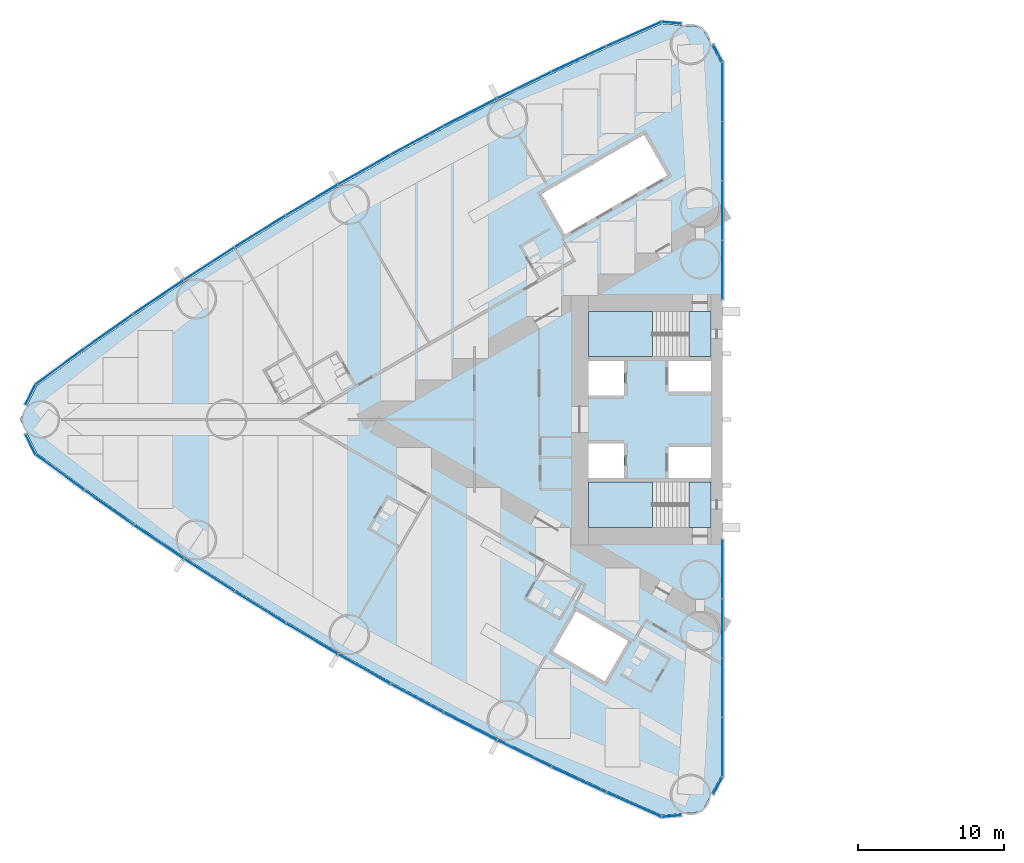
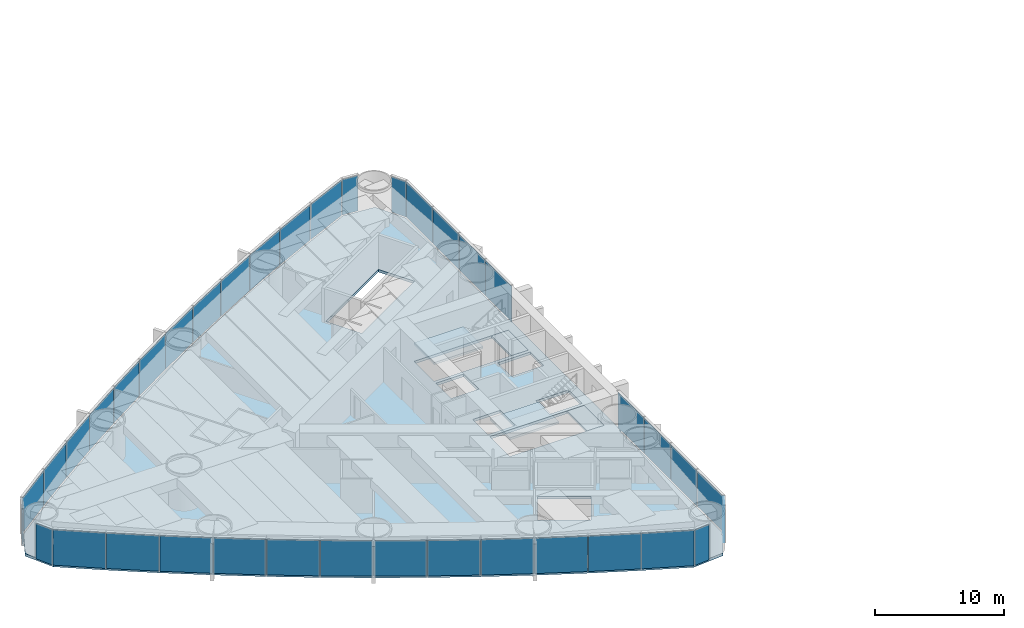
# One storey, part 9 of 19: 38 plates, 5 slabs, 6 elements without a shape of their own.
"""IFC4 building model written with IfcOpenShell, lengths in metres."""

from ifc_helpers import new_model, si_unit, direction, frame, origin, origin_2d, place, context, subcontext, project, spatial, polyline, rectangle, outline, extrude, material, layer, layer_set, type_object, element, aggregate, save


model = new_model("IFC4")

# Units and contexts
model_context = context("Model", 3, precision=1e-05, world=origin(), true_north=direction((0.0, 1.0)))
body_context = subcontext(model_context, "Body", "Model", "MODEL_VIEW")
ifc_project = project(units=[si_unit("LENGTHUNIT", "METRE"), si_unit("AREAUNIT", "SQUARE_METRE"), si_unit("VOLUMEUNIT", "CUBIC_METRE"), si_unit("PLANEANGLEUNIT", "RADIAN"), si_unit("MASSUNIT", "GRAM", prefix="KILO")], contexts=[model_context])

# Site, building, storey
site_placement = place(None, origin())
site = spatial("IfcSite", under=ifc_project, at=site_placement, CompositionType="ELEMENT")
building_placement = place(site_placement, origin())
building = spatial("IfcBuilding", under=site, at=building_placement, Name="Lancet Gate Hotel", CompositionType="ELEMENT")
storey_placement = place(building_placement, frame((0.0, 0.0, 28.5)))
storey = spatial("IfcBuildingStorey", under=building, at=storey_placement, Name="L06", CompositionType="ELEMENT", Elevation=28.5)

# Slab
ifc_material_1 = material(Name="Concrete C50/60", Category="concrete")
ifc_layer_1 = layer(ifc_material_1, 0.25)
ifc_layer_set_1 = layer_set([ifc_layer_1], Name="Floor slab 250")
slab_type_1 = type_object("IfcSlabType", Name="Floor slab 250", PredefinedType="FLOOR", material=ifc_layer_set_1)
slab_1_placement = place(storey_placement, frame((0.0, 0.0, -0.25)))
element("IfcSlab", 1, at=slab_1_placement, inside=storey, type_object=slab_type_1, Name="T1 L06 floor slab", PredefinedType="FLOOR", context=body_context, shape_type="SweptSolid", body=[
    extrude(outline(polyline([(-27.5, 8.60009765625), (-27.6201171875, 8.60009765625), (-27.6201171875, 24.4609375), (-28.926513671875, 26.8837890625), (-31.668212890625, 27.12353515625), (-35.424072265625, 25.458740234375), (-39.173583984375, 23.70849609375), (-42.887939453125, 21.884765625), (-46.56591796875, 19.98876953125), (-50.2060546875, 18.02099609375), (-53.806884765625, 15.982421875), (-57.366943359375, 13.87353515625), (-60.88525390625, 11.695068359375), (-64.360107421875, 9.448486328125), (-67.7900390625, 7.134033203125), (-71.17431640625, 4.752685546875), (-74.488525390625, 2.322021484375), (-75.65087890625, 0.0), (-74.488525390625, -2.322021484375), (-71.17431640625, -4.752685546875), (-67.7900390625, -7.134033203125), (-64.360107421875, -9.448486328125), (-60.88525390625, -11.695068359375), (-57.366943359375, -13.87353515625), (-53.806884765625, -15.982421875), (-50.2060546875, -18.02099609375), (-46.56591796875, -19.98876953125), (-42.887939453125, -21.884765625), (-39.173583984375, -23.70849609375), (-35.424072265625, -25.458740234375), (-31.668212890625, -27.12353515625), (-28.926513671875, -26.8837890625), (-27.6201171875, -24.4609375), (-27.6201171875, -8.60009765625), (-27.5, -8.60009765625), (-27.5, -8.199951171875), (-27.5, 8.199951171875), (-27.5, 8.60009765625)]), holes=[polyline([(-36.699951171875, 7.39990234375), (-36.699951171875, 4.300048828125), (-28.300048828125, 4.300048828125), (-28.300048828125, 7.39990234375), (-36.699951171875, 7.39990234375)]), polyline([(-28.300048828125, 4.0), (-31.199951171875, 4.0), (-31.199951171875, 1.89990234375), (-28.300048828125, 1.89990234375), (-28.300048828125, 4.0)]), polyline([(-34.25, 4.0), (-36.699951171875, 4.0), (-36.699951171875, 1.64990234375), (-34.25, 1.64990234375), (-34.25, 4.0)]), polyline([(-36.699951171875, -1.64990234375), (-36.699951171875, -4.0), (-34.25, -4.0), (-34.25, -1.64990234375), (-36.699951171875, -1.64990234375)]), polyline([(-28.300048828125, -1.89990234375), (-31.199951171875, -1.89990234375), (-31.199951171875, -4.0), (-28.300048828125, -4.0), (-28.300048828125, -1.89990234375)]), polyline([(-28.300048828125, -4.300048828125), (-36.699951171875, -4.300048828125), (-36.699951171875, -7.39990234375), (-28.300048828125, -7.39990234375), (-28.300048828125, -4.300048828125)]), polyline([(-31.2900390625, 16.73095703125), (-32.889892578125, 19.501953125), (-39.904052734375, 15.451904296875), (-38.303955078125, 12.680908203125), (-31.2900390625, 16.73095703125)]), polyline([(-33.97412109375, -15.180908203125), (-37.52490234375, -13.131103515625), (-39.125, -15.902099609375), (-35.573974609375, -17.951904296875), (-33.97412109375, -15.180908203125)])]), origin(), (0.0, 0.0, 1.0), 0.25),
])

# Stair, slabs
ifc_material_2 = material(Name="Exit stair 20 risers 1500")
stair_type = type_object("IfcStairType", Name="Exit stair 20 risers 1500", PredefinedType="HALF_TURN_STAIR", material=ifc_material_2)
stair_1_placement = place(storey_placement, origin())
stair_1 = element("IfcStair", 2, at=stair_1_placement, inside=storey, type_object=stair_type, Name="T1 stair 1 L06", PredefinedType="HALF_TURN_STAIR")
ifc_material_3 = material(Name="Concrete C40/50", Category="concrete")
ifc_layer_2 = layer(ifc_material_3, 0.199951171875)
ifc_layer_set_2 = layer_set([ifc_layer_2], Name="Stair landing 200")
slab_type_2 = type_object("IfcSlabType", Name="Stair landing 200", PredefinedType="LANDING", material=ifc_layer_set_2)
slab_2_placement = place(storey_placement, frame((0.0, 0.0, -0.199951171875)))
slab_2 = element("IfcSlab", 3, at=slab_2_placement, type_object=slab_type_2, Name="ST1 landing 1", PredefinedType="LANDING", context=body_context, shape_type="SweptSolid", body=[
    extrude(outline(polyline([(-28.300048828125, 7.39990234375), (-29.800048828125, 7.39990234375), (-29.800048828125, 4.300048828125), (-28.300048828125, 4.300048828125), (-28.300048828125, 7.39990234375)])), origin(), (0.0, 0.0, 1.0), 0.199951171875),
])
slab_3_placement = place(storey_placement, frame((0.0, 0.0, 1.550048828125)))
slab_3 = element("IfcSlab", 4, at=slab_3_placement, type_object=slab_type_2, Name="ST1 landing 2", PredefinedType="LANDING", context=body_context, shape_type="SweptSolid", body=[
    extrude(outline(polyline([(-32.320068359375, 7.39990234375), (-36.699951171875, 7.39990234375), (-36.699951171875, 4.300048828125), (-32.320068359375, 4.300048828125), (-32.320068359375, 7.39990234375)])), origin(), (0.0, 0.0, 1.0), 0.199951171875),
])
aggregate(stair_1, [slab_2, slab_3])

stair_2_placement = place(storey_placement, origin())
stair_2 = element("IfcStair", 5, at=stair_2_placement, inside=storey, type_object=stair_type, Name="T1 stair 2 L06", PredefinedType="HALF_TURN_STAIR")
slab_4_placement = place(storey_placement, frame((0.0, 0.0, -0.199951171875)))
slab_4 = element("IfcSlab", 6, at=slab_4_placement, type_object=slab_type_2, Name="ST2 landing 1", PredefinedType="LANDING", context=body_context, shape_type="SweptSolid", body=[
    extrude(outline(polyline([(-28.300048828125, -4.300048828125), (-29.800048828125, -4.300048828125), (-29.800048828125, -7.39990234375), (-28.300048828125, -7.39990234375), (-28.300048828125, -4.300048828125)])), origin(), (0.0, 0.0, 1.0), 0.199951171875),
])
slab_5_placement = place(storey_placement, frame((0.0, 0.0, 1.550048828125)))
slab_5 = element("IfcSlab", 7, at=slab_5_placement, type_object=slab_type_2, Name="ST2 landing 2", PredefinedType="LANDING", context=body_context, shape_type="SweptSolid", body=[
    extrude(outline(polyline([(-32.320068359375, -4.300048828125), (-36.699951171875, -4.300048828125), (-36.699951171875, -7.39990234375), (-32.320068359375, -7.39990234375), (-32.320068359375, -4.300048828125)])), origin(), (0.0, 0.0, 1.0), 0.199951171875),
])
aggregate(stair_2, [slab_4, slab_5])

# Curtain wall, plates
ifc_material_4 = material(Name="Aluminium curtain wall", Category="aluminium")
curtain_wall_type = type_object("IfcCurtainWallType", Name="Tower unitised curtain wall", PredefinedType="USERDEFINED", material=ifc_material_4)
curtain_wall_1_placement = place(storey_placement, origin())
curtain_wall_1 = element("IfcCurtainWall", 8, at=curtain_wall_1_placement, inside=storey, type_object=curtain_wall_type, Name="T1 L06 curtain wall 1", ObjectType="UNITISED CURTAIN WALL", PredefinedType="USERDEFINED")
ifc_material_5 = material(Name="Glass double glazed unit 8-16-6", Category="glass")
ifc_layer_3 = layer(ifc_material_5, 0.030029296875)
ifc_layer_set_3 = layer_set([ifc_layer_3], Name="Vision panel double glazed")
plate_type = type_object("IfcPlateType", Name="Vision panel double glazed", PredefinedType="CURTAIN_PANEL", material=ifc_layer_set_3)
plate_1_placement = place(storey_placement, frame((-27.5, 10.236328125, 0.0), z_axis=(0.0, 0.0, 1.0), x_axis=(0.0, 1.0, 0.0)))
plate_1 = element("IfcPlate", 9, at=plate_1_placement, type_object=plate_type, Name="T1 L06 curtain wall 1 panel 1", PredefinedType="CURTAIN_PANEL", context=body_context, shape_type="SweptSolid", body=[
    extrude(rectangle(XDim=4.0078125, YDim=0.030029296875, at=origin_2d()), origin(), (0.0, 0.0, 1.0), 3.35009765625),
])
plate_2_placement = place(storey_placement, frame((-27.5, 14.30908203125, 0.0), z_axis=(0.0, 0.0, 1.0), x_axis=(0.0, 1.0, 0.0)))
plate_2 = element("IfcPlate", 10, at=plate_2_placement, type_object=plate_type, Name="T1 L06 curtain wall 1 panel 2", PredefinedType="CURTAIN_PANEL", context=body_context, shape_type="SweptSolid", body=[
    extrude(rectangle(XDim=4.0078125, YDim=0.030029296875, at=origin_2d()), origin(), (0.0, 0.0, 1.0), 3.35009765625),
])
plate_3_placement = place(storey_placement, frame((-27.5, 18.382080078125, 0.0), z_axis=(0.0, 0.0, 1.0), x_axis=(0.0, 1.0, 0.0)))
plate_3 = element("IfcPlate", 11, at=plate_3_placement, type_object=plate_type, Name="T1 L06 curtain wall 1 panel 3", PredefinedType="CURTAIN_PANEL", context=body_context, shape_type="SweptSolid", body=[
    extrude(rectangle(XDim=4.0078125, YDim=0.030029296875, at=origin_2d()), origin(), (0.0, 0.0, 1.0), 3.35009765625),
])
plate_4_placement = place(storey_placement, frame((-27.5, 22.454833984375, 0.0), z_axis=(0.0, 0.0, 1.0), x_axis=(0.0, 1.0, 0.0)))
plate_4 = element("IfcPlate", 12, at=plate_4_placement, type_object=plate_type, Name="T1 L06 curtain wall 1 panel 4", PredefinedType="CURTAIN_PANEL", context=body_context, shape_type="SweptSolid", body=[
    extrude(rectangle(XDim=4.0078125, YDim=0.030029296875, at=origin_2d()), origin(), (0.0, 0.0, 1.0), 3.35009765625),
])
plate_5_placement = place(storey_placement, frame((-27.829345703125, 25.10205078125, 0.0), z_axis=(0.0, 0.0, 1.0), x_axis=(-0.474631040972, 0.880184852714, 0.0)))
plate_5 = element("IfcPlate", 13, at=plate_5_placement, type_object=plate_type, Name="T1 L06 curtain wall 1 panel 5", PredefinedType="CURTAIN_PANEL", context=body_context, shape_type="SweptSolid", body=[
    extrude(rectangle(XDim=1.322998046875, YDim=0.030029296875, at=origin_2d()), origin(), (0.0, 0.0, 1.0), 3.35009765625),
])
aggregate(curtain_wall_1, [plate_1, plate_2, plate_3, plate_4, plate_5])

curtain_wall_2_placement = place(storey_placement, origin())
curtain_wall_2 = element("IfcCurtainWall", 14, at=curtain_wall_2_placement, inside=storey, type_object=curtain_wall_type, Name="T1 L06 curtain wall 2", ObjectType="UNITISED CURTAIN WALL", PredefinedType="USERDEFINED")
plate_6_placement = place(storey_placement, frame((-30.99658203125, 27.185302734375, 0.0), z_axis=(0.0, 0.0, 1.0), x_axis=(-0.99620380374, 0.087051602022, 0.0)))
plate_6 = element("IfcPlate", 15, at=plate_6_placement, type_object=plate_type, Name="T1 L06 curtain wall 2 panel 1", PredefinedType="CURTAIN_PANEL", context=body_context, shape_type="SweptSolid", body=[
    extrude(rectangle(XDim=1.32421875, YDim=0.030029296875, at=origin_2d()), origin(), (0.0, 0.0, 1.0), 3.35009765625),
])
plate_7_placement = place(storey_placement, frame((-33.581298828125, 26.406982421875, 0.0), z_axis=(0.0, 0.0, 1.0), x_axis=(-0.914234183208, -0.405186201954, 0.0)))
plate_7 = element("IfcPlate", 16, at=plate_7_placement, type_object=plate_type, Name="T1 L06 curtain wall 2 panel 2", PredefinedType="CURTAIN_PANEL", context=body_context, shape_type="SweptSolid", body=[
    extrude(rectangle(XDim=4.0751953125, YDim=0.030029296875, at=origin_2d()), origin(), (0.0, 0.0, 1.0), 3.35009765625),
])
plate_8_placement = place(storey_placement, frame((-37.349609375, 24.6923828125, 0.0), z_axis=(0.0, 0.0, 1.0), x_axis=(-0.906117767284, -0.423025521467, 0.0)))
plate_8 = element("IfcPlate", 17, at=plate_8_placement, type_object=plate_type, Name="T1 L06 curtain wall 2 panel 3", PredefinedType="CURTAIN_PANEL", context=body_context, shape_type="SweptSolid", body=[
    extrude(rectangle(XDim=4.0751953125, YDim=0.030029296875, at=origin_2d()), origin(), (0.0, 0.0, 1.0), 3.35009765625),
])
plate_9_placement = place(storey_placement, frame((-41.083740234375, 22.904296875, 0.0), z_axis=(0.0, 0.0, 1.0), x_axis=(-0.897653295642, -0.440702349463, 0.0)))
plate_9 = element("IfcPlate", 18, at=plate_9_placement, type_object=plate_type, Name="T1 L06 curtain wall 2 panel 4", PredefinedType="CURTAIN_PANEL", context=body_context, shape_type="SweptSolid", body=[
    extrude(rectangle(XDim=4.0751953125, YDim=0.030029296875, at=origin_2d()), origin(), (0.0, 0.0, 1.0), 3.35009765625),
])
plate_10_placement = place(storey_placement, frame((-44.781982421875, 21.04345703125, 0.0), z_axis=(0.0, 0.0, 1.0), x_axis=(-0.888844019644, -0.458209895946, 0.0)))
plate_10 = element("IfcPlate", 19, at=plate_10_placement, type_object=plate_type, Name="T1 L06 curtain wall 2 panel 5", PredefinedType="CURTAIN_PANEL", context=body_context, shape_type="SweptSolid", body=[
    extrude(rectangle(XDim=4.0751953125, YDim=0.030029296875, at=origin_2d()), origin(), (0.0, 0.0, 1.0), 3.35009765625),
])
plate_11_placement = place(storey_placement, frame((-48.443115234375, 19.110595703125, 0.0), z_axis=(0.0, 0.0, 1.0), x_axis=(-0.87969332307, -0.475541435993, 0.0)))
plate_11 = element("IfcPlate", 20, at=plate_11_placement, type_object=plate_type, Name="T1 L06 curtain wall 2 panel 6", PredefinedType="CURTAIN_PANEL", context=body_context, shape_type="SweptSolid", body=[
    extrude(rectangle(XDim=4.0751953125, YDim=0.030029296875, at=origin_2d()), origin(), (0.0, 0.0, 1.0), 3.35009765625),
])
plate_12_placement = place(storey_placement, frame((-52.065673828125, 17.106201171875, 0.0), z_axis=(0.0, 0.0, 1.0), x_axis=(-0.870204720871, -0.492690312238, 0.0)))
plate_12 = element("IfcPlate", 21, at=plate_12_placement, type_object=plate_type, Name="T1 L06 curtain wall 2 panel 7", PredefinedType="CURTAIN_PANEL", context=body_context, shape_type="SweptSolid", body=[
    extrude(rectangle(XDim=4.0751953125, YDim=0.030029296875, at=origin_2d()), origin(), (0.0, 0.0, 1.0), 3.35009765625),
])
plate_13_placement = place(storey_placement, frame((-55.648193359375, 15.031005859375, 0.0), z_axis=(0.0, 0.0, 1.0), x_axis=(-0.860381857795, -0.509649937484, 0.0)))
plate_13 = element("IfcPlate", 22, at=plate_13_placement, type_object=plate_type, Name="T1 L06 curtain wall 2 panel 8", PredefinedType="CURTAIN_PANEL", context=body_context, shape_type="SweptSolid", body=[
    extrude(rectangle(XDim=4.0751953125, YDim=0.030029296875, at=origin_2d()), origin(), (0.0, 0.0, 1.0), 3.35009765625),
])
plate_14_placement = place(storey_placement, frame((-59.189208984375, 12.88623046875, 0.0), z_axis=(0.0, 0.0, 1.0), x_axis=(-0.850228506958, -0.52641379727, 0.0)))
plate_14 = element("IfcPlate", 23, at=plate_14_placement, type_object=plate_type, Name="T1 L06 curtain wall 2 panel 9", PredefinedType="CURTAIN_PANEL", context=body_context, shape_type="SweptSolid", body=[
    extrude(rectangle(XDim=4.0751953125, YDim=0.030029296875, at=origin_2d()), origin(), (0.0, 0.0, 1.0), 3.35009765625),
])
plate_15_placement = place(storey_placement, frame((-62.687744140625, 10.672607421875, 0.0), z_axis=(0.0, 0.0, 1.0), x_axis=(-0.839748568448, -0.54297545229, 0.0)))
plate_15 = element("IfcPlate", 24, at=plate_15_placement, type_object=plate_type, Name="T1 L06 curtain wall 2 panel 10", PredefinedType="CURTAIN_PANEL", context=body_context, shape_type="SweptSolid", body=[
    extrude(rectangle(XDim=4.0751953125, YDim=0.030029296875, at=origin_2d()), origin(), (0.0, 0.0, 1.0), 3.35009765625),
])
plate_16_placement = place(storey_placement, frame((-66.142333984375, 8.390625, 0.0), z_axis=(0.0, 0.0, 1.0), x_axis=(-0.828946067803, -0.559328540907, 0.0)))
plate_16 = element("IfcPlate", 25, at=plate_16_placement, type_object=plate_type, Name="T1 L06 curtain wall 2 panel 11", PredefinedType="CURTAIN_PANEL", context=body_context, shape_type="SweptSolid", body=[
    extrude(rectangle(XDim=4.0751953125, YDim=0.030029296875, at=origin_2d()), origin(), (0.0, 0.0, 1.0), 3.35009765625),
])
plate_17_placement = place(storey_placement, frame((-69.55126953125, 6.04150390625, 0.0), z_axis=(0.0, 0.0, 1.0), x_axis=(-0.817825154435, -0.575466781642, 0.0)))
plate_17 = element("IfcPlate", 26, at=plate_17_placement, type_object=plate_type, Name="T1 L06 curtain wall 2 panel 12", PredefinedType="CURTAIN_PANEL", context=body_context, shape_type="SweptSolid", body=[
    extrude(rectangle(XDim=4.0751953125, YDim=0.030029296875, at=origin_2d()), origin(), (0.0, 0.0, 1.0), 3.35009765625),
])
plate_18_placement = place(storey_placement, frame((-72.91357421875, 3.6259765625, 0.0), z_axis=(0.0, 0.0, 1.0), x_axis=(-0.80639010009, -0.591383975499, 0.0)))
plate_18 = element("IfcPlate", 27, at=plate_18_placement, type_object=plate_type, Name="T1 L06 curtain wall 2 panel 13", PredefinedType="CURTAIN_PANEL", context=body_context, shape_type="SweptSolid", body=[
    extrude(rectangle(XDim=4.0751953125, YDim=0.030029296875, at=origin_2d()), origin(), (0.0, 0.0, 1.0), 3.35009765625),
])
plate_19_placement = place(storey_placement, frame((-74.93505859375, 1.6982421875, 0.0), z_axis=(0.0, 0.0, 1.0), x_axis=(-0.447628324726, -0.89421970617, 0.0)))
plate_19 = element("IfcPlate", 28, at=plate_19_placement, type_object=plate_type, Name="T1 L06 curtain wall 2 panel 14", PredefinedType="CURTAIN_PANEL", context=body_context, shape_type="SweptSolid", body=[
    extrude(rectangle(XDim=1.50830078125, YDim=0.030029296875, at=origin_2d()), origin(), (0.0, 0.0, 1.0), 3.35009765625),
])
aggregate(curtain_wall_2, [plate_6, plate_7, plate_8, plate_9, plate_10, plate_11, plate_12, plate_13, plate_14, plate_15, plate_16, plate_17, plate_18, plate_19])

curtain_wall_3_placement = place(storey_placement, origin())
curtain_wall_3 = element("IfcCurtainWall", 29, at=curtain_wall_3_placement, inside=storey, type_object=curtain_wall_type, Name="T1 L06 curtain wall 3", ObjectType="UNITISED CURTAIN WALL", PredefinedType="USERDEFINED")
plate_20_placement = place(storey_placement, frame((-74.93505859375, -1.6982421875, 0.0), z_axis=(0.0, 0.0, 1.0), x_axis=(0.447628324726, -0.89421970617, 0.0)))
plate_20 = element("IfcPlate", 30, at=plate_20_placement, type_object=plate_type, Name="T1 L06 curtain wall 3 panel 1", PredefinedType="CURTAIN_PANEL", context=body_context, shape_type="SweptSolid", body=[
    extrude(rectangle(XDim=1.50830078125, YDim=0.030029296875, at=origin_2d()), origin(), (0.0, 0.0, 1.0), 3.35009765625),
])
plate_21_placement = place(storey_placement, frame((-72.91357421875, -3.6259765625, 0.0), z_axis=(0.0, 0.0, 1.0), x_axis=(0.80639010009, -0.591383975499, 0.0)))
plate_21 = element("IfcPlate", 31, at=plate_21_placement, type_object=plate_type, Name="T1 L06 curtain wall 3 panel 2", PredefinedType="CURTAIN_PANEL", context=body_context, shape_type="SweptSolid", body=[
    extrude(rectangle(XDim=4.0751953125, YDim=0.030029296875, at=origin_2d()), origin(), (0.0, 0.0, 1.0), 3.35009765625),
])
plate_22_placement = place(storey_placement, frame((-69.55126953125, -6.04150390625, 0.0), z_axis=(0.0, 0.0, 1.0), x_axis=(0.817825154435, -0.575466781642, 0.0)))
plate_22 = element("IfcPlate", 32, at=plate_22_placement, type_object=plate_type, Name="T1 L06 curtain wall 3 panel 3", PredefinedType="CURTAIN_PANEL", context=body_context, shape_type="SweptSolid", body=[
    extrude(rectangle(XDim=4.0751953125, YDim=0.030029296875, at=origin_2d()), origin(), (0.0, 0.0, 1.0), 3.35009765625),
])
plate_23_placement = place(storey_placement, frame((-66.142333984375, -8.390625, 0.0), z_axis=(0.0, 0.0, 1.0), x_axis=(0.828946067803, -0.559328540907, 0.0)))
plate_23 = element("IfcPlate", 33, at=plate_23_placement, type_object=plate_type, Name="T1 L06 curtain wall 3 panel 4", PredefinedType="CURTAIN_PANEL", context=body_context, shape_type="SweptSolid", body=[
    extrude(rectangle(XDim=4.0751953125, YDim=0.030029296875, at=origin_2d()), origin(), (0.0, 0.0, 1.0), 3.35009765625),
])
plate_24_placement = place(storey_placement, frame((-62.687744140625, -10.672607421875, 0.0), z_axis=(0.0, 0.0, 1.0), x_axis=(0.839748568448, -0.54297545229, 0.0)))
plate_24 = element("IfcPlate", 34, at=plate_24_placement, type_object=plate_type, Name="T1 L06 curtain wall 3 panel 5", PredefinedType="CURTAIN_PANEL", context=body_context, shape_type="SweptSolid", body=[
    extrude(rectangle(XDim=4.0751953125, YDim=0.030029296875, at=origin_2d()), origin(), (0.0, 0.0, 1.0), 3.35009765625),
])
plate_25_placement = place(storey_placement, frame((-59.189208984375, -12.88623046875, 0.0), z_axis=(0.0, 0.0, 1.0), x_axis=(0.850228506958, -0.52641379727, 0.0)))
plate_25 = element("IfcPlate", 35, at=plate_25_placement, type_object=plate_type, Name="T1 L06 curtain wall 3 panel 6", PredefinedType="CURTAIN_PANEL", context=body_context, shape_type="SweptSolid", body=[
    extrude(rectangle(XDim=4.0751953125, YDim=0.030029296875, at=origin_2d()), origin(), (0.0, 0.0, 1.0), 3.35009765625),
])
plate_26_placement = place(storey_placement, frame((-55.648193359375, -15.031005859375, 0.0), z_axis=(0.0, 0.0, 1.0), x_axis=(0.860381857795, -0.509649937484, 0.0)))
plate_26 = element("IfcPlate", 36, at=plate_26_placement, type_object=plate_type, Name="T1 L06 curtain wall 3 panel 7", PredefinedType="CURTAIN_PANEL", context=body_context, shape_type="SweptSolid", body=[
    extrude(rectangle(XDim=4.0751953125, YDim=0.030029296875, at=origin_2d()), origin(), (0.0, 0.0, 1.0), 3.35009765625),
])
plate_27_placement = place(storey_placement, frame((-52.065673828125, -17.106201171875, 0.0), z_axis=(0.0, 0.0, 1.0), x_axis=(0.870204720871, -0.492690312238, 0.0)))
plate_27 = element("IfcPlate", 37, at=plate_27_placement, type_object=plate_type, Name="T1 L06 curtain wall 3 panel 8", PredefinedType="CURTAIN_PANEL", context=body_context, shape_type="SweptSolid", body=[
    extrude(rectangle(XDim=4.0751953125, YDim=0.030029296875, at=origin_2d()), origin(), (0.0, 0.0, 1.0), 3.35009765625),
])
plate_28_placement = place(storey_placement, frame((-48.443115234375, -19.110595703125, 0.0), z_axis=(0.0, 0.0, 1.0), x_axis=(0.87969332307, -0.475541435993, 0.0)))
plate_28 = element("IfcPlate", 38, at=plate_28_placement, type_object=plate_type, Name="T1 L06 curtain wall 3 panel 9", PredefinedType="CURTAIN_PANEL", context=body_context, shape_type="SweptSolid", body=[
    extrude(rectangle(XDim=4.0751953125, YDim=0.030029296875, at=origin_2d()), origin(), (0.0, 0.0, 1.0), 3.35009765625),
])
plate_29_placement = place(storey_placement, frame((-44.781982421875, -21.04345703125, 0.0), z_axis=(0.0, 0.0, 1.0), x_axis=(0.888844019644, -0.458209895946, 0.0)))
plate_29 = element("IfcPlate", 39, at=plate_29_placement, type_object=plate_type, Name="T1 L06 curtain wall 3 panel 10", PredefinedType="CURTAIN_PANEL", context=body_context, shape_type="SweptSolid", body=[
    extrude(rectangle(XDim=4.0751953125, YDim=0.030029296875, at=origin_2d()), origin(), (0.0, 0.0, 1.0), 3.35009765625),
])
plate_30_placement = place(storey_placement, frame((-41.083740234375, -22.904296875, 0.0), z_axis=(0.0, 0.0, 1.0), x_axis=(0.897653295642, -0.440702349463, 0.0)))
plate_30 = element("IfcPlate", 40, at=plate_30_placement, type_object=plate_type, Name="T1 L06 curtain wall 3 panel 11", PredefinedType="CURTAIN_PANEL", context=body_context, shape_type="SweptSolid", body=[
    extrude(rectangle(XDim=4.0751953125, YDim=0.030029296875, at=origin_2d()), origin(), (0.0, 0.0, 1.0), 3.35009765625),
])
plate_31_placement = place(storey_placement, frame((-37.349609375, -24.6923828125, 0.0), z_axis=(0.0, 0.0, 1.0), x_axis=(0.906117767284, -0.423025521467, 0.0)))
plate_31 = element("IfcPlate", 41, at=plate_31_placement, type_object=plate_type, Name="T1 L06 curtain wall 3 panel 12", PredefinedType="CURTAIN_PANEL", context=body_context, shape_type="SweptSolid", body=[
    extrude(rectangle(XDim=4.0751953125, YDim=0.030029296875, at=origin_2d()), origin(), (0.0, 0.0, 1.0), 3.35009765625),
])
plate_32_placement = place(storey_placement, frame((-33.581298828125, -26.406982421875, 0.0), z_axis=(0.0, 0.0, 1.0), x_axis=(0.914234183208, -0.405186201954, 0.0)))
plate_32 = element("IfcPlate", 42, at=plate_32_placement, type_object=plate_type, Name="T1 L06 curtain wall 3 panel 13", PredefinedType="CURTAIN_PANEL", context=body_context, shape_type="SweptSolid", body=[
    extrude(rectangle(XDim=4.0751953125, YDim=0.030029296875, at=origin_2d()), origin(), (0.0, 0.0, 1.0), 3.35009765625),
])
plate_33_placement = place(storey_placement, frame((-30.99658203125, -27.185302734375, 0.0), z_axis=(0.0, 0.0, 1.0), x_axis=(0.99620380374, 0.087051602022, 0.0)))
plate_33 = element("IfcPlate", 43, at=plate_33_placement, type_object=plate_type, Name="T1 L06 curtain wall 3 panel 14", PredefinedType="CURTAIN_PANEL", context=body_context, shape_type="SweptSolid", body=[
    extrude(rectangle(XDim=1.32421875, YDim=0.030029296875, at=origin_2d()), origin(), (0.0, 0.0, 1.0), 3.35009765625),
])
aggregate(curtain_wall_3, [plate_20, plate_21, plate_22, plate_23, plate_24, plate_25, plate_26, plate_27, plate_28, plate_29, plate_30, plate_31, plate_32, plate_33])

curtain_wall_4_placement = place(storey_placement, origin())
curtain_wall_4 = element("IfcCurtainWall", 44, at=curtain_wall_4_placement, inside=storey, type_object=curtain_wall_type, Name="T1 L06 curtain wall 4", ObjectType="UNITISED CURTAIN WALL", PredefinedType="USERDEFINED")
plate_34_placement = place(storey_placement, frame((-27.829345703125, -25.10205078125, 0.0), z_axis=(0.0, 0.0, 1.0), x_axis=(0.474631040972, 0.880184852714, 0.0)))
plate_34 = element("IfcPlate", 45, at=plate_34_placement, type_object=plate_type, Name="T1 L06 curtain wall 4 panel 1", PredefinedType="CURTAIN_PANEL", context=body_context, shape_type="SweptSolid", body=[
    extrude(rectangle(XDim=1.322998046875, YDim=0.030029296875, at=origin_2d()), origin(), (0.0, 0.0, 1.0), 3.35009765625),
])
plate_35_placement = place(storey_placement, frame((-27.5, -22.454833984375, 0.0), z_axis=(0.0, 0.0, 1.0), x_axis=(0.0, 1.0, 0.0)))
plate_35 = element("IfcPlate", 46, at=plate_35_placement, type_object=plate_type, Name="T1 L06 curtain wall 4 panel 2", PredefinedType="CURTAIN_PANEL", context=body_context, shape_type="SweptSolid", body=[
    extrude(rectangle(XDim=4.0078125, YDim=0.030029296875, at=origin_2d()), origin(), (0.0, 0.0, 1.0), 3.35009765625),
])
plate_36_placement = place(storey_placement, frame((-27.5, -18.382080078125, 0.0), z_axis=(0.0, 0.0, 1.0), x_axis=(0.0, 1.0, 0.0)))
plate_36 = element("IfcPlate", 47, at=plate_36_placement, type_object=plate_type, Name="T1 L06 curtain wall 4 panel 3", PredefinedType="CURTAIN_PANEL", context=body_context, shape_type="SweptSolid", body=[
    extrude(rectangle(XDim=4.0078125, YDim=0.030029296875, at=origin_2d()), origin(), (0.0, 0.0, 1.0), 3.35009765625),
])
plate_37_placement = place(storey_placement, frame((-27.5, -14.30908203125, 0.0), z_axis=(0.0, 0.0, 1.0), x_axis=(0.0, 1.0, 0.0)))
plate_37 = element("IfcPlate", 48, at=plate_37_placement, type_object=plate_type, Name="T1 L06 curtain wall 4 panel 4", PredefinedType="CURTAIN_PANEL", context=body_context, shape_type="SweptSolid", body=[
    extrude(rectangle(XDim=4.0078125, YDim=0.030029296875, at=origin_2d()), origin(), (0.0, 0.0, 1.0), 3.35009765625),
])
plate_38_placement = place(storey_placement, frame((-27.5, -10.236328125, 0.0), z_axis=(0.0, 0.0, 1.0), x_axis=(0.0, 1.0, 0.0)))
plate_38 = element("IfcPlate", 49, at=plate_38_placement, type_object=plate_type, Name="T1 L06 curtain wall 4 panel 5", PredefinedType="CURTAIN_PANEL", context=body_context, shape_type="SweptSolid", body=[
    extrude(rectangle(XDim=4.0078125, YDim=0.030029296875, at=origin_2d()), origin(), (0.0, 0.0, 1.0), 3.35009765625),
])
aggregate(curtain_wall_4, [plate_34, plate_35, plate_36, plate_37, plate_38])

save(model, "model.ifc")
